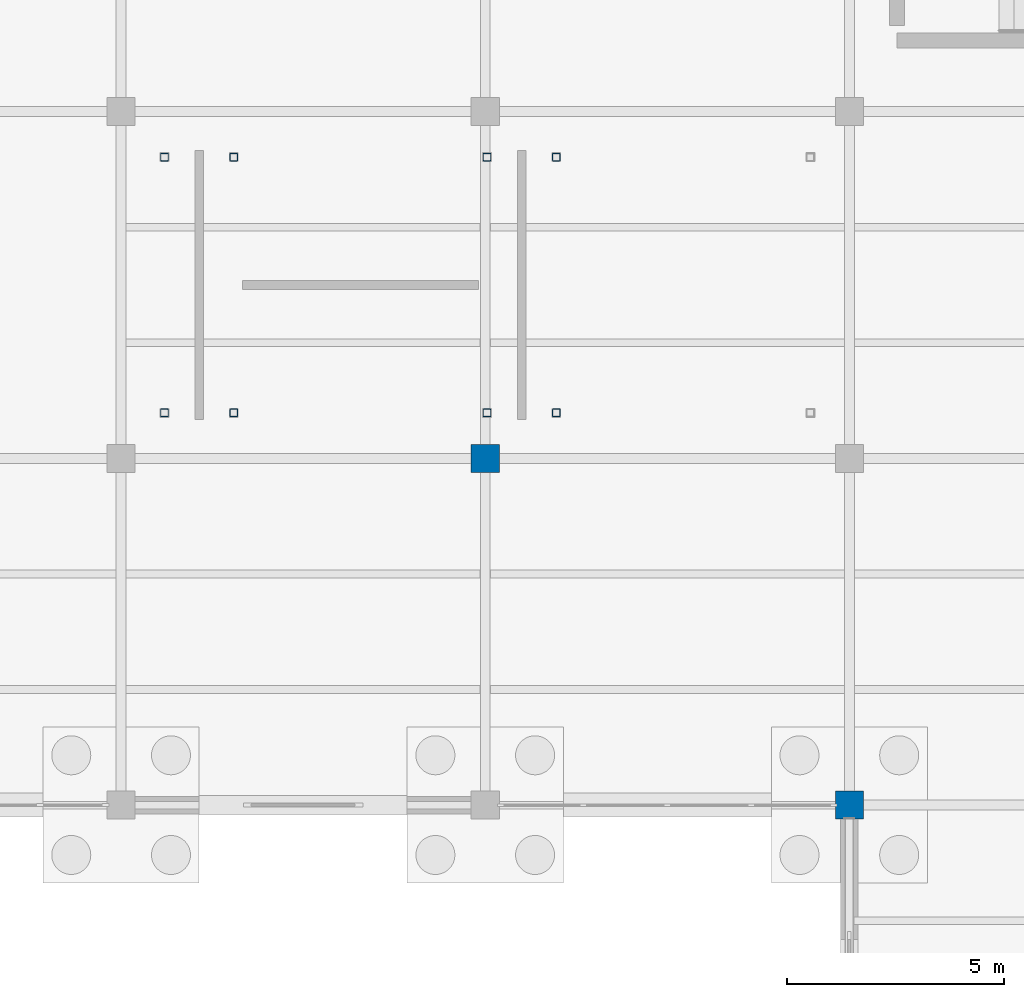
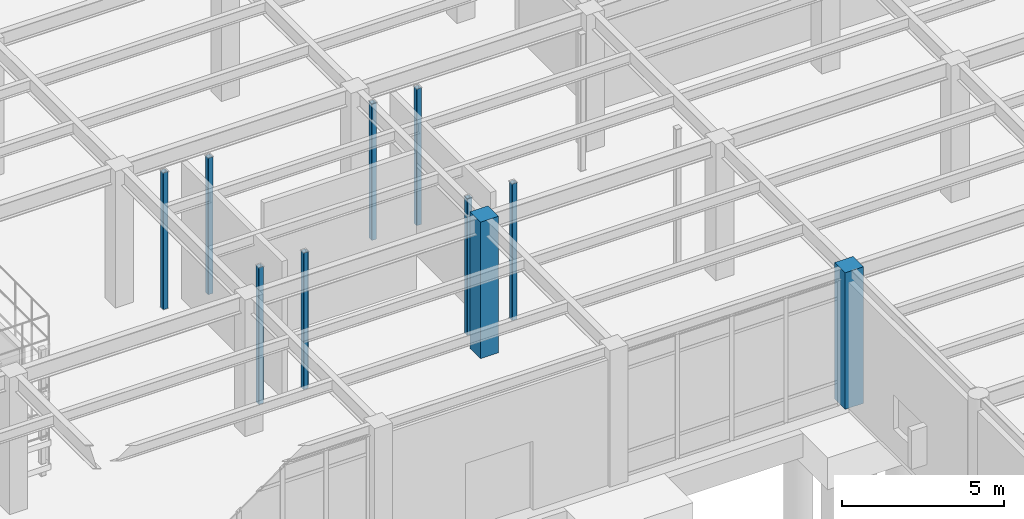
# One storey, part 6 of 138: 10 columns.
"""IFC4 building model written with IfcOpenShell, lengths in metres."""

from ifc_helpers import new_model, si_unit, direction, frame, origin, origin_2d, place, context, subcontext, project, spatial, rectangle, hollow_rectangle, extrude, material, material_profile, profile_set, type_object, element, save


model = new_model("IFC4")

# Units and contexts
model_context = context("Model", 3, precision=1e-05, world=origin(), true_north=direction((0.0, 1.0)))
body_context = subcontext(model_context, "Body", "Model", "MODEL_VIEW")
ifc_project = project(units=[si_unit("LENGTHUNIT", "METRE"), si_unit("AREAUNIT", "SQUARE_METRE"), si_unit("VOLUMEUNIT", "CUBIC_METRE"), si_unit("PLANEANGLEUNIT", "RADIAN"), si_unit("MASSUNIT", "GRAM", prefix="KILO")], contexts=[model_context])

# Site, building, storey
site_placement = place(None, origin())
site = spatial("IfcSite", under=ifc_project, at=site_placement, CompositionType="ELEMENT")
building_placement = place(site_placement, origin())
building = spatial("IfcBuilding", under=site, at=building_placement, Name="Kranzveld Transit Interchange", CompositionType="ELEMENT")
storey_placement = place(building_placement, origin())
storey = spatial("IfcBuildingStorey", under=building, at=storey_placement, Name="L00", CompositionType="ELEMENT", Elevation=0.0)

# Columns
ifc_material_1 = material(Name="Concrete C35/45", Category="concrete")
ifc_material_profile_1 = material_profile(ifc_material_1, rectangle(XDim=0.64990234375, YDim=0.64990234375, at=origin_2d()), Name="RC 650x650")
ifc_profile_set_1 = profile_set([ifc_material_profile_1], Name="Concrete C35/45")
column_type_1 = type_object("IfcColumnType", Name="Column RC 650x650 C35/45", PredefinedType="COLUMN", material=ifc_profile_set_1)
for number, where, z_axis, x_axis, name in (
    (1, (42.0, 24.0, 0.0), (0.0, 0.0, 1.0), (1.0, 0.0, 0.0), "L00 Column 06/D"),
    (2, (50.39990234375, 16.0, 0.0), (0.0, 0.0, 1.0), (1.0, 0.0, 0.0), "L00 Column 07/C"),
):
    element("IfcColumn", number, at=place(storey_placement, frame(where, z_axis=z_axis, x_axis=x_axis)), inside=storey, type_object=column_type_1, Name=name, PredefinedType="COLUMN", context=body_context, shape_type="SweptSolid", body=[
        extrude(rectangle(XDim=0.64990234375, YDim=0.64990234375, at=origin_2d()), origin(), (0.0, 0.0, 1.0), 5.14990234375),
    ])
ifc_material_2 = material(Name="Steel S355JR", Category="steel")
ifc_material_profile_2 = material_profile(ifc_material_2, hollow_rectangle(XDim=0.179931640625, YDim=0.179931640625, WallThickness=0.008056640625, InnerFilletRadius=0.011962890625, OuterFilletRadius=0.02001953125, at=origin_2d()), Name="SHS 180x180x8")
ifc_profile_set_2 = profile_set([ifc_material_profile_2], Name="Steel S355JR")
column_type_2 = type_object("IfcColumnType", Name="Landing Post SHS 180x180x8 S355JR", PredefinedType="COLUMN", material=ifc_profile_set_2)
for number, where, z_axis, x_axis, name in (
    (3, (34.60009765625, 25.050048828125, 0.0), (0.0, 0.0, 1.0), (1.0, 0.0, 0.0), "L00 RMP-2 Ramp Support Post W1"),
    (4, (34.60009765625, 30.949951171875, 0.0), (0.0, 0.0, 1.0), (1.0, 0.0, 0.0), "L00 RMP-2 Ramp Support Post W2"),
    (5, (36.199951171875, 25.050048828125, 0.0), (0.0, 0.0, 1.0), (1.0, 0.0, 0.0), "L00 RMP-2 Ramp Support Post W3"),
    (6, (36.199951171875, 30.949951171875, 0.0), (0.0, 0.0, 1.0), (1.0, 0.0, 0.0), "L00 RMP-2 Ramp Support Post W4"),
    (7, (42.0400390625, 25.050048828125, 0.0), (0.0, 0.0, 1.0), (1.0, 0.0, 0.0), "L00 RMP-2 Ramp Support Post E1"),
    (8, (42.0400390625, 30.949951171875, 0.0), (0.0, 0.0, 1.0), (1.0, 0.0, 0.0), "L00 RMP-2 Ramp Support Post E2"),
    (9, (43.639892578125, 25.050048828125, 0.0), (0.0, 0.0, 1.0), (1.0, 0.0, 0.0), "L00 RMP-2 Ramp Support Post E3"),
    (10, (43.639892578125, 30.949951171875, 0.0), (0.0, 0.0, 1.0), (1.0, 0.0, 0.0), "L00 RMP-2 Ramp Support Post E4"),
):
    element("IfcColumn", number, at=place(storey_placement, frame(where, z_axis=z_axis, x_axis=x_axis)), inside=storey, type_object=column_type_2, Name=name, PredefinedType="COLUMN", context=body_context, shape_type="SweptSolid", body=[
        extrude(hollow_rectangle(XDim=0.179931640625, YDim=0.179931640625, WallThickness=0.008056640625, InnerFilletRadius=0.011962890625, OuterFilletRadius=0.02001953125, at=origin_2d()), origin(), (0.0, 0.0, 1.0), 5.14990234375),
    ])

save(model, "model.ifc")
